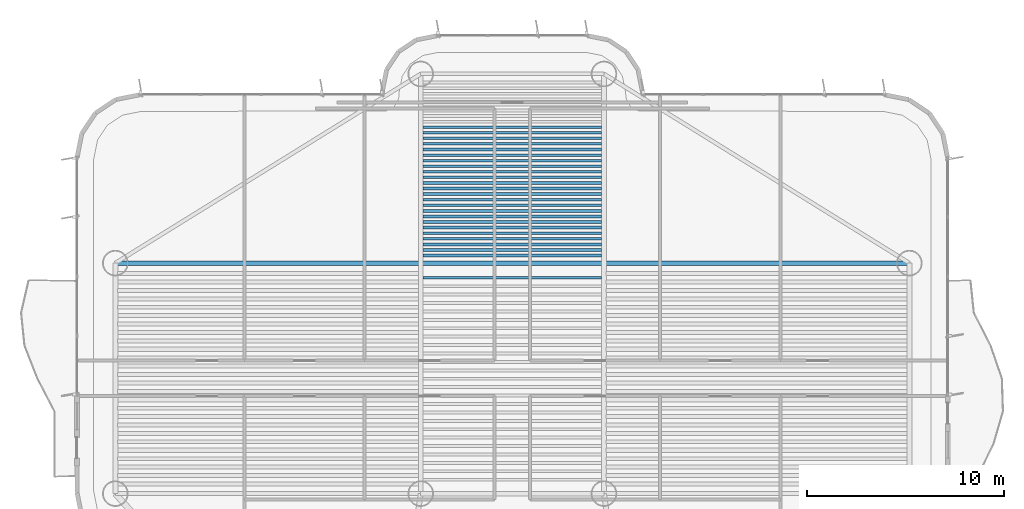
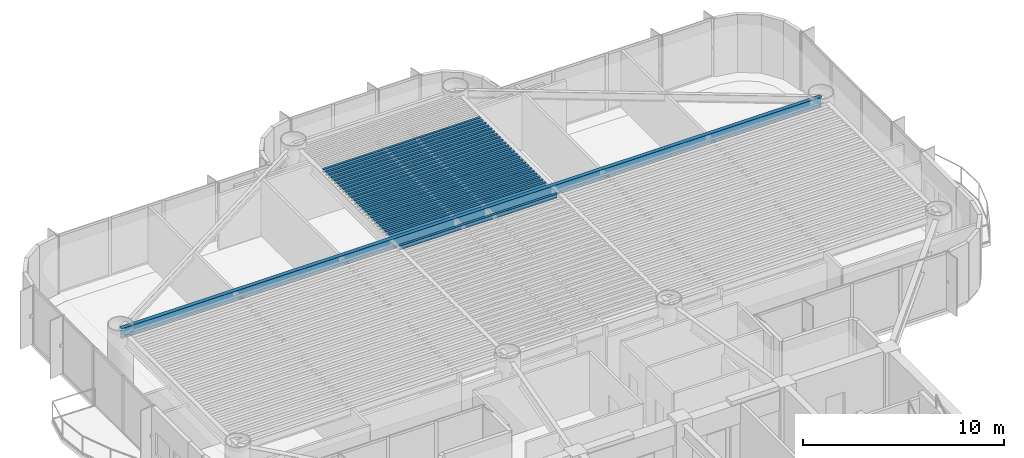
# One storey, part 6 of 16: 26 beams.
"""IFC4 building model written with IfcOpenShell, lengths in metres."""

from ifc_helpers import new_model, si_unit, direction, frame, origin, origin_2d, place, context, subcontext, project, spatial, i_section, extrude, source, transform, mapped, material, material_profile, profile_set, type_object, element, save


model = new_model("IFC4")

# Units and contexts
model_context = context("Model", 3, precision=1e-05, world=origin(), true_north=direction((0.0, 1.0)))
body_context = subcontext(model_context, "Body", "Model", "MODEL_VIEW")
ifc_project = project(units=[si_unit("LENGTHUNIT", "METRE"), si_unit("AREAUNIT", "SQUARE_METRE"), si_unit("VOLUMEUNIT", "CUBIC_METRE"), si_unit("PLANEANGLEUNIT", "RADIAN"), si_unit("MASSUNIT", "GRAM", prefix="KILO")], contexts=[model_context])

# Site, building, storey
site_placement = place(None, origin())
site = spatial("IfcSite", under=ifc_project, at=site_placement, CompositionType="ELEMENT")
building_placement = place(site_placement, origin())
building = spatial("IfcBuilding", under=site, at=building_placement, Name="Brelvock Crest Care Tower", CompositionType="ELEMENT")
storey_placement = place(building_placement, frame((0.0, 0.0, 108.719970703125)))
storey = spatial("IfcBuildingStorey", under=building, at=storey_placement, Name="L27", CompositionType="ELEMENT", Elevation=108.719970703125)

# Beams
ifc_material = material(Name="Steel Grade 350", Category="steel")
ifc_material_profile_1 = material_profile(ifc_material, i_section(OverallWidth=0.14599609375, OverallDepth=0.256103515625, WebThickness=0.00634765625, FlangeThickness=0.010986328125, FilletRadius=0.0087890625, at=origin_2d()), Name="250UB37.3")
ifc_profile_set_1 = profile_set([ifc_material_profile_1], Name="Steel Grade 350")
beam_type_1 = type_object("IfcBeamType", Name="BM-J3", PredefinedType="JOIST", material=ifc_profile_set_1)
shared_shape_1 = source(origin(), body_context, "Body", "SweptSolid", [
    extrude(i_section(OverallWidth=0.14599609375, OverallDepth=0.256103515625, WebThickness=0.00634765625, FlangeThickness=0.010986328125, FilletRadius=0.0087890625, at=origin_2d()), origin(), (0.0, 0.0, 1.0), 9.06982421875),
])
for number, where, z_axis, x_axis, name in (
    (1, (31.465087890625, 38.10400390625, 3.402099609375), (1.0, 0.0, 0.0), (0.0, 1.0, 0.0), "BM-JH-L27-25"),
    (2, (31.465087890625, 39.23388671875, 3.402099609375), (1.0, 0.0, 0.0), (0.0, 1.0, 0.0), "BM-JN-L27-1"),
    (3, (31.465087890625, 39.51708984375, 3.402099609375), (1.0, 0.0, 0.0), (0.0, 1.0, 0.0), "BM-JN-L27-2"),
    (4, (31.465087890625, 39.80029296875, 3.402099609375), (1.0, 0.0, 0.0), (0.0, 1.0, 0.0), "BM-JN-L27-3"),
    (5, (31.465087890625, 40.08349609375, 3.402099609375), (1.0, 0.0, 0.0), (0.0, 1.0, 0.0), "BM-JN-L27-4"),
    (6, (31.465087890625, 40.36669921875, 3.402099609375), (1.0, 0.0, 0.0), (0.0, 1.0, 0.0), "BM-JN-L27-5"),
    (7, (31.465087890625, 40.64990234375, 3.402099609375), (1.0, 0.0, 0.0), (0.0, 1.0, 0.0), "BM-JN-L27-6"),
    (8, (31.465087890625, 40.93310546875, 3.402099609375), (1.0, 0.0, 0.0), (0.0, 1.0, 0.0), "BM-JN-L27-7"),
    (9, (31.465087890625, 41.21630859375, 3.402099609375), (1.0, 0.0, 0.0), (0.0, 1.0, 0.0), "BM-JN-L27-8"),
    (10, (31.465087890625, 41.49951171875, 3.402099609375), (1.0, 0.0, 0.0), (0.0, 1.0, 0.0), "BM-JN-L27-9"),
    (11, (31.465087890625, 41.78271484375, 3.402099609375), (1.0, 0.0, 0.0), (0.0, 1.0, 0.0), "BM-JN-L27-10"),
    (12, (31.465087890625, 42.06591796875, 3.402099609375), (1.0, 0.0, 0.0), (0.0, 1.0, 0.0), "BM-JN-L27-11"),
    (13, (31.465087890625, 42.34912109375, 3.402099609375), (1.0, 0.0, 0.0), (0.0, 1.0, 0.0), "BM-JN-L27-12"),
    (14, (31.465087890625, 42.63232421875, 3.402099609375), (1.0, 0.0, 0.0), (0.0, 1.0, 0.0), "BM-JN-L27-13"),
):
    element("IfcBeam", number, at=place(storey_placement, frame(where, z_axis=z_axis, x_axis=x_axis)), inside=storey, type_object=beam_type_1, Name=name, PredefinedType="JOIST", context=body_context, shape_type="MappedRepresentation", body=[
        mapped(shared_shape_1, transform((0.0, 0.0, 0.0), x_axis=(1.0, 0.0, 0.0), y_axis=(0.0, 1.0, 0.0), z_axis=(0.0, 0.0, 1.0), scale=1.0)),
    ])
ifc_material_profile_2 = material_profile(ifc_material, i_section(OverallWidth=0.134033203125, OverallDepth=0.20703125, WebThickness=0.00634765625, FlangeThickness=0.009521484375, FilletRadius=0.0087890625, at=origin_2d()), Name="200UB29.8")
ifc_profile_set_2 = profile_set([ifc_material_profile_2], Name="Steel Grade 350")
beam_type_2 = type_object("IfcBeamType", Name="BM-J4", PredefinedType="JOIST", material=ifc_profile_set_2)
shared_shape_2 = source(origin(), body_context, "Body", "SweptSolid", [
    extrude(i_section(OverallWidth=0.134033203125, OverallDepth=0.20703125, WebThickness=0.00634765625, FlangeThickness=0.009521484375, FilletRadius=0.0087890625, at=origin_2d()), origin(), (0.0, 0.0, 1.0), 9.06982421875),
])
for number, where, z_axis, x_axis, name in (
    (15, (31.465087890625, 42.91552734375, 3.426513671875), (1.0, 0.0, 0.0), (0.0, 1.0, 0.0), "BM-JN-L27-14"),
    (16, (31.465087890625, 43.19873046875, 3.426513671875), (1.0, 0.0, 0.0), (0.0, 1.0, 0.0), "BM-JN-L27-15"),
    (17, (31.465087890625, 43.48193359375, 3.426513671875), (1.0, 0.0, 0.0), (0.0, 1.0, 0.0), "BM-JN-L27-16"),
    (18, (31.465087890625, 43.76513671875, 3.426513671875), (1.0, 0.0, 0.0), (0.0, 1.0, 0.0), "BM-JN-L27-17"),
    (19, (31.465087890625, 44.04833984375, 3.426513671875), (1.0, 0.0, 0.0), (0.0, 1.0, 0.0), "BM-JN-L27-18"),
    (20, (31.465087890625, 44.33154296875, 3.426513671875), (1.0, 0.0, 0.0), (0.0, 1.0, 0.0), "BM-JN-L27-19"),
    (21, (31.465087890625, 44.61474609375, 3.426513671875), (1.0, 0.0, 0.0), (0.0, 1.0, 0.0), "BM-JN-L27-20"),
    (22, (31.465087890625, 44.89794921875, 3.426513671875), (1.0, 0.0, 0.0), (0.0, 1.0, 0.0), "BM-JN-L27-21"),
    (23, (31.465087890625, 45.18115234375, 3.426513671875), (1.0, 0.0, 0.0), (0.0, 1.0, 0.0), "BM-JN-L27-22"),
    (24, (31.465087890625, 45.46435546875, 3.426513671875), (1.0, 0.0, 0.0), (0.0, 1.0, 0.0), "BM-JN-L27-23"),
    (25, (31.465087890625, 45.74755859375, 3.426513671875), (1.0, 0.0, 0.0), (0.0, 1.0, 0.0), "BM-JN-L27-24"),
):
    element("IfcBeam", number, at=place(storey_placement, frame(where, z_axis=z_axis, x_axis=x_axis)), inside=storey, type_object=beam_type_2, Name=name, PredefinedType="JOIST", context=body_context, shape_type="MappedRepresentation", body=[
        mapped(shared_shape_2, transform((0.0, 0.0, 0.0), x_axis=(1.0, 0.0, 0.0), y_axis=(0.0, 1.0, 0.0), z_axis=(0.0, 0.0, 1.0), scale=1.0)),
    ])
ifc_material_profile_3 = material_profile(ifc_material, i_section(OverallWidth=0.22900390625, OverallDepth=0.612060546875, WebThickness=0.011962890625, FlangeThickness=0.01953125, FilletRadius=0.013916015625, at=origin_2d()), Name="610UB125")
ifc_profile_set_3 = profile_set([ifc_material_profile_3], Name="Steel Grade 350")
beam_type_3 = type_object("IfcBeamType", Name="BM-G1", PredefinedType="BEAM", material=ifc_profile_set_3)
shared_shape_3 = source(origin(), body_context, "Body", "SweptSolid", [
    extrude(i_section(OverallWidth=0.22900390625, OverallDepth=0.612060546875, WebThickness=0.011962890625, FlangeThickness=0.01953125, FilletRadius=0.013916015625, at=origin_2d()), origin(), (0.0, 0.0, 1.0), 40.2998046875),
])
beam_placement = place(storey_placement, frame((15.85009765625, 38.85009765625, 3.22412109375), z_axis=(1.0, 0.0, 0.0), x_axis=(0.0, 1.0, 0.0)))
element("IfcBeam", 26, at=beam_placement, inside=storey, type_object=beam_type_3, Name="BM-TWR-L27-11", PredefinedType="BEAM", context=body_context, shape_type="MappedRepresentation", body=[
    mapped(shared_shape_3, transform((0.0, 0.0, 0.0), x_axis=(1.0, 0.0, 0.0), y_axis=(0.0, 1.0, 0.0), z_axis=(0.0, 0.0, 1.0), scale=1.0)),
])

save(model, "model.ifc")
